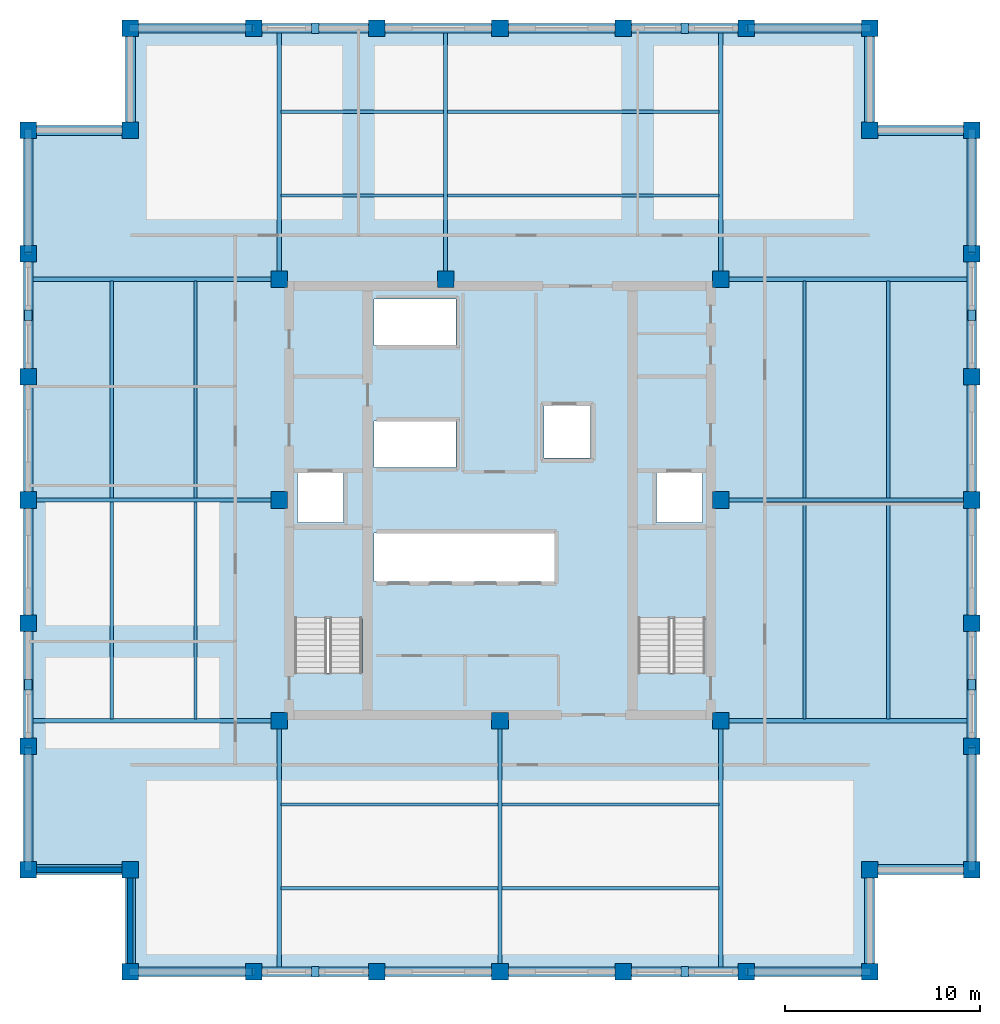
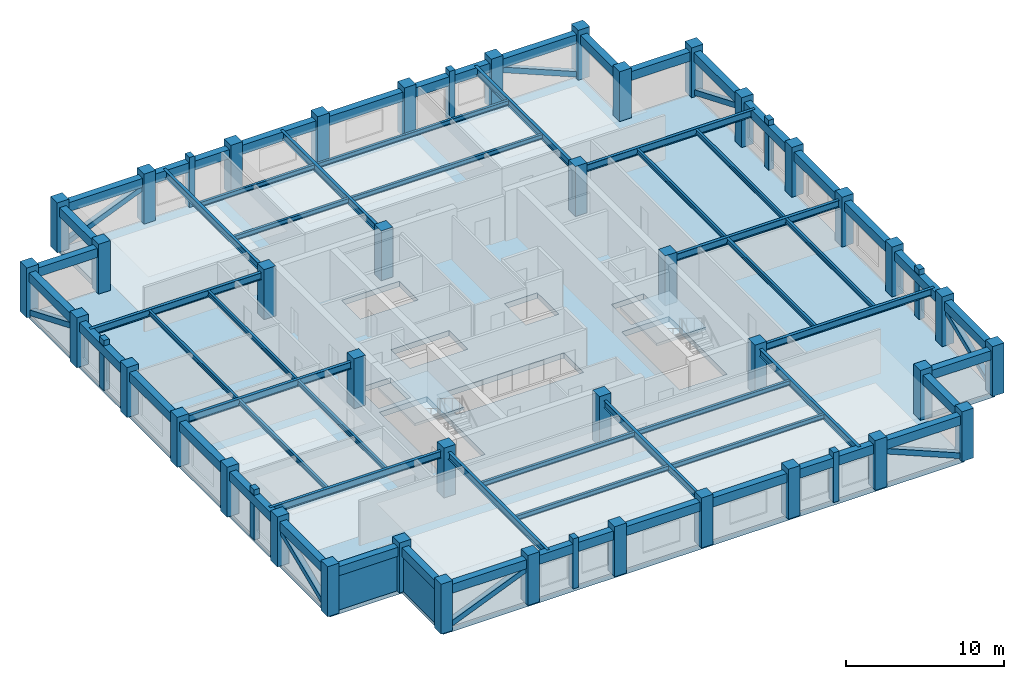
# One storey, part 1 of 9: 60 beams, 40 columns, 16 members, 3 slabs, 2 walls, 2 elements without a shape of their own.
"""IFC4 building model written with IfcOpenShell, lengths in metres."""

from ifc_helpers import new_model, si_unit, direction, frame, frame_2d, origin, origin_2d, place, context, subcontext, project, spatial, polyline, rectangle, hollow_rectangle, i_section, outline, extrude, material, layer, layer_set, material_profile, profile_set, type_object, element, aggregate, save


model = new_model("IFC4")

# Units and contexts
model_context = context("Model", 3, precision=1e-05, world=origin(), true_north=direction((0.0, 1.0)))
body_context = subcontext(model_context, "Body", "Model", "MODEL_VIEW")
ifc_project = project(units=[si_unit("LENGTHUNIT", "METRE"), si_unit("AREAUNIT", "SQUARE_METRE"), si_unit("VOLUMEUNIT", "CUBIC_METRE"), si_unit("PLANEANGLEUNIT", "RADIAN"), si_unit("MASSUNIT", "GRAM", prefix="KILO")], contexts=[model_context])

# Site, building, storey
site_placement = place(None, origin())
site = spatial("IfcSite", under=ifc_project, at=site_placement, CompositionType="ELEMENT")
building_placement = place(site_placement, origin())
building = spatial("IfcBuilding", under=site, at=building_placement, Name="Nhamokura Convention Tower", CompositionType="ELEMENT")
storey_placement = place(building_placement, frame((0.0, 0.0, 186.89990234375)))
storey = spatial("IfcBuildingStorey", under=building, at=storey_placement, Name="L45", CompositionType="ELEMENT", Elevation=186.89990234375)

# Columns
ifc_material_1 = material(Name="Concrete C50/60", Category="concrete")
ifc_material_profile_1 = material_profile(ifc_material_1, rectangle(XDim=0.85009765625, YDim=0.85009765625, at=origin_2d()))
ifc_profile_set_1 = profile_set([ifc_material_profile_1], Name="Concrete C50/60")
column_type = type_object("IfcColumnType", Name="TubeColumn_Z3_850", PredefinedType="COLUMN", material=ifc_profile_set_1)
for number, where, z_axis, x_axis, name in (
    (1, (20.64990234375, 20.64990234375, 0.0), (0.0, 0.0, 1.0), (1.0, 0.0, 0.0), "L45 Core Column CC-SW"),
    (2, (32.0, 20.64990234375, 0.0), (0.0, 0.0, 1.0), (1.0, 0.0, 0.0), "L45 Core Column CC-S"),
    (3, (43.35009765625, 20.64990234375, 0.0), (0.0, 0.0, 1.0), (1.0, 0.0, 0.0), "L45 Core Column CC-SE"),
    (4, (43.35009765625, 32.0, 0.0), (0.0, 0.0, 1.0), (1.0, 0.0, 0.0), "L45 Core Column CC-E"),
    (5, (43.35009765625, 43.35009765625, 0.0), (0.0, 0.0, 1.0), (1.0, 0.0, 0.0), "L45 Core Column CC-NE"),
    (6, (29.199951171875, 43.35009765625, 0.0), (0.0, 0.0, 1.0), (1.0, 0.0, 0.0), "L45 Core Column CC-N"),
    (7, (20.64990234375, 43.35009765625, 0.0), (0.0, 0.0, 1.0), (1.0, 0.0, 0.0), "L45 Core Column CC-NW"),
    (8, (20.64990234375, 32.0, 0.0), (0.0, 0.0, 1.0), (1.0, 0.0, 0.0), "L45 Core Column CC-W"),
    (9, (13.0, 7.75, 0.0), (0.0, 0.0, 1.0), (1.0, 0.0, 0.0), "L45 Perimeter Tube Column SW1"),
    (10, (13.0, 13.0, 0.0), (0.0, 0.0, 1.0), (1.0, 0.0, 0.0), "L45 Perimeter Tube Column SW0"),
    (11, (7.75, 13.0, 0.0), (0.0, 0.0, 1.0), (1.0, 0.0, 0.0), "L45 Perimeter Tube Column SW2"),
    (12, (51.0, 7.75, 0.0), (0.0, 0.0, 1.0), (1.0, 0.0, 0.0), "L45 Perimeter Tube Column SE1"),
    (13, (51.0, 13.0, 0.0), (0.0, 0.0, 1.0), (1.0, 0.0, 0.0), "L45 Perimeter Tube Column SE0"),
    (14, (56.25, 13.0, 0.0), (0.0, 0.0, 1.0), (1.0, 0.0, 0.0), "L45 Perimeter Tube Column SE2"),
    (15, (56.25, 51.0, 0.0), (0.0, 0.0, 1.0), (1.0, 0.0, 0.0), "L45 Perimeter Tube Column NE1"),
    (16, (51.0, 51.0, 0.0), (0.0, 0.0, 1.0), (1.0, 0.0, 0.0), "L45 Perimeter Tube Column NE0"),
    (17, (51.0, 56.25, 0.0), (0.0, 0.0, 1.0), (1.0, 0.0, 0.0), "L45 Perimeter Tube Column NE2"),
    (18, (13.0, 56.25, 0.0), (0.0, 0.0, 1.0), (1.0, 0.0, 0.0), "L45 Perimeter Tube Column NW1"),
    (19, (13.0, 51.0, 0.0), (0.0, 0.0, 1.0), (1.0, 0.0, 0.0), "L45 Perimeter Tube Column NW0"),
    (20, (7.75, 51.0, 0.0), (0.0, 0.0, 1.0), (1.0, 0.0, 0.0), "L45 Perimeter Tube Column NW2"),
    (21, (19.333251953125, 7.75, 0.0), (0.0, 0.0, 1.0), (1.0, 0.0, 0.0), "L45 Perimeter Tube Column S1"),
    (22, (19.333251953125, 56.25, 0.0), (0.0, 0.0, 1.0), (1.0, 0.0, 0.0), "L45 Perimeter Tube Column N1"),
    (23, (7.75, 19.333251953125, 0.0), (0.0, 0.0, 1.0), (1.0, 0.0, 0.0), "L45 Perimeter Tube Column W1"),
    (24, (56.25, 19.333251953125, 0.0), (0.0, 0.0, 1.0), (1.0, 0.0, 0.0), "L45 Perimeter Tube Column E1"),
    (25, (25.666748046875, 7.75, 0.0), (0.0, 0.0, 1.0), (1.0, 0.0, 0.0), "L45 Perimeter Tube Column S2"),
    (26, (25.666748046875, 56.25, 0.0), (0.0, 0.0, 1.0), (1.0, 0.0, 0.0), "L45 Perimeter Tube Column N2"),
    (27, (7.75, 25.666748046875, 0.0), (0.0, 0.0, 1.0), (1.0, 0.0, 0.0), "L45 Perimeter Tube Column W2"),
    (28, (56.25, 25.666748046875, 0.0), (0.0, 0.0, 1.0), (1.0, 0.0, 0.0), "L45 Perimeter Tube Column E2"),
    (29, (32.0, 7.75, 0.0), (0.0, 0.0, 1.0), (1.0, 0.0, 0.0), "L45 Perimeter Tube Column S3"),
    (30, (32.0, 56.25, 0.0), (0.0, 0.0, 1.0), (1.0, 0.0, 0.0), "L45 Perimeter Tube Column N3"),
    (31, (7.75, 32.0, 0.0), (0.0, 0.0, 1.0), (1.0, 0.0, 0.0), "L45 Perimeter Tube Column W3"),
    (32, (56.25, 32.0, 0.0), (0.0, 0.0, 1.0), (1.0, 0.0, 0.0), "L45 Perimeter Tube Column E3"),
    (33, (38.333251953125, 7.75, 0.0), (0.0, 0.0, 1.0), (1.0, 0.0, 0.0), "L45 Perimeter Tube Column S4"),
    (34, (38.333251953125, 56.25, 0.0), (0.0, 0.0, 1.0), (1.0, 0.0, 0.0), "L45 Perimeter Tube Column N4"),
    (35, (7.75, 38.333251953125, 0.0), (0.0, 0.0, 1.0), (1.0, 0.0, 0.0), "L45 Perimeter Tube Column W4"),
    (36, (56.25, 38.333251953125, 0.0), (0.0, 0.0, 1.0), (1.0, 0.0, 0.0), "L45 Perimeter Tube Column E4"),
    (37, (44.666748046875, 7.75, 0.0), (0.0, 0.0, 1.0), (1.0, 0.0, 0.0), "L45 Perimeter Tube Column S5"),
    (38, (44.666748046875, 56.25, 0.0), (0.0, 0.0, 1.0), (1.0, 0.0, 0.0), "L45 Perimeter Tube Column N5"),
    (39, (7.75, 44.666748046875, 0.0), (0.0, 0.0, 1.0), (1.0, 0.0, 0.0), "L45 Perimeter Tube Column W5"),
    (40, (56.25, 44.666748046875, 0.0), (0.0, 0.0, 1.0), (1.0, 0.0, 0.0), "L45 Perimeter Tube Column E5"),
):
    element("IfcColumn", number, at=place(storey_placement, frame(where, z_axis=z_axis, x_axis=x_axis)), inside=storey, type_object=column_type, Name=name, PredefinedType="COLUMN", context=body_context, shape_type="SweptSolid", body=[
        extrude(rectangle(XDim=0.85009765625, YDim=0.85009765625, at=origin_2d()), origin(), (0.0, 0.0, 1.0), 3.85009765625),
    ])

# Members
ifc_material_2 = material(Name="Bronze-pigmented precast concrete C45/55", Category="concrete")
ifc_material_profile_2 = material_profile(ifc_material_2, rectangle(XDim=0.39990234375, YDim=0.550048828125, at=origin_2d()))
ifc_profile_set_2 = profile_set([ifc_material_profile_2], Name="Bronze-pigmented precast concrete C45/55")
member_type_1 = type_object("IfcMemberType", Name="BronzePilaster_550", PredefinedType="USERDEFINED", material=ifc_profile_set_2)
for number, where, z_axis, x_axis, name in (
    (41, (22.5, 7.75, 0.0), (0.0, 0.0, 1.0), (1.0, 0.0, 0.0), "L45 Engaged Frame Pilaster SOUTH 1"),
    (42, (41.5, 7.75, 0.0), (0.0, 0.0, 1.0), (1.0, 0.0, 0.0), "L45 Engaged Frame Pilaster SOUTH 4"),
    (43, (22.5, 56.25, 0.0), (0.0, 0.0, 1.0), (1.0, 0.0, 0.0), "L45 Engaged Frame Pilaster NORTH 1"),
    (44, (41.5, 56.25, 0.0), (0.0, 0.0, 1.0), (1.0, 0.0, 0.0), "L45 Engaged Frame Pilaster NORTH 4"),
    (45, (7.75, 22.5, 0.0), (0.0, 0.0, 1.0), (1.0, 0.0, 0.0), "L45 Engaged Frame Pilaster WEST 1"),
    (46, (7.75, 41.5, 0.0), (0.0, 0.0, 1.0), (1.0, 0.0, 0.0), "L45 Engaged Frame Pilaster WEST 4"),
    (47, (56.25, 22.5, 0.0), (0.0, 0.0, 1.0), (1.0, 0.0, 0.0), "L45 Engaged Frame Pilaster EAST 1"),
    (48, (56.25, 41.5, 0.0), (0.0, 0.0, 1.0), (1.0, 0.0, 0.0), "L45 Engaged Frame Pilaster EAST 4"),
):
    element("IfcMember", number, at=place(storey_placement, frame(where, z_axis=z_axis, x_axis=x_axis)), inside=storey, type_object=member_type_1, Name=name, ObjectType="PILASTER_TRIM", PredefinedType="USERDEFINED", context=body_context, shape_type="SweptSolid", body=[
        extrude(rectangle(XDim=0.39990234375, YDim=0.550048828125, at=origin_2d()), origin(), (0.0, 0.0, 1.0), 3.85009765625),
    ])

# Beams
ifc_material_3 = material(Name="Steel ASTM A992 Gr 50", Category="steel")
ifc_material_profile_3 = material_profile(ifc_material_3, i_section(OverallWidth=0.172119140625, OverallDepth=0.35791015625, WebThickness=0.0078125, FlangeThickness=0.01318359375, at=origin_2d()))
ifc_profile_set_3 = profile_set([ifc_material_profile_3], Name="Steel ASTM A992 Gr 50")
beam_type_1 = type_object("IfcBeamType", Name="FloorJoist_W360X57", PredefinedType="JOIST", material=ifc_profile_set_3)
for number, where, z_axis, x_axis, name in (
    (49, (20.75341796875, 12.050048828125, 3.2509765625), (1.0, 0.0, 0.0), (0.0, 1.0, 0.0), "L45 Composite Floor Joist S1A"),
    (50, (32.103515625, 12.050048828125, 3.2509765625), (1.0, 0.0, 0.0), (0.0, 1.0, 0.0), "L45 Composite Floor Joist S1B"),
    (51, (20.75341796875, 16.35009765625, 3.2509765625), (1.0, 0.0, 0.0), (0.0, 1.0, 0.0), "L45 Composite Floor Joist S2A"),
    (52, (32.103515625, 16.35009765625, 3.2509765625), (1.0, 0.0, 0.0), (0.0, 1.0, 0.0), "L45 Composite Floor Joist S2B"),
):
    element("IfcBeam", number, at=place(storey_placement, frame(where, z_axis=z_axis, x_axis=x_axis)), inside=storey, type_object=beam_type_1, Name=name, PredefinedType="JOIST", context=body_context, shape_type="SweptSolid", body=[
        extrude(i_section(OverallWidth=0.172119140625, OverallDepth=0.35791015625, WebThickness=0.0078125, FlangeThickness=0.01318359375, at=origin_2d()), origin(), (0.0, 0.0, 1.0), 11.14306640625),
    ])
beam_1_placement = place(storey_placement, frame((20.75341796875, 47.64990234375, 3.2509765625), z_axis=(1.0, 0.0, 0.0), x_axis=(0.0, 1.0, 0.0)))
element("IfcBeam", 53, at=beam_1_placement, inside=storey, type_object=beam_type_1, Name="L45 Composite Floor Joist N1A", PredefinedType="JOIST", context=body_context, shape_type="SweptSolid", body=[
    extrude(i_section(OverallWidth=0.172119140625, OverallDepth=0.35791015625, WebThickness=0.0078125, FlangeThickness=0.01318359375, at=origin_2d()), origin(), (0.0, 0.0, 1.0), 8.343017578125),
])
beam_2_placement = place(storey_placement, frame((29.303466796875, 47.64990234375, 3.2509765625), z_axis=(1.0, 0.0, 0.0), x_axis=(0.0, 1.0, 0.0)))
element("IfcBeam", 54, at=beam_2_placement, inside=storey, type_object=beam_type_1, Name="L45 Composite Floor Joist N1B", PredefinedType="JOIST", context=body_context, shape_type="SweptSolid", body=[
    extrude(i_section(OverallWidth=0.172119140625, OverallDepth=0.35791015625, WebThickness=0.0078125, FlangeThickness=0.01318359375, at=origin_2d()), origin(), (0.0, 0.0, 1.0), 13.943115234375),
])
beam_3_placement = place(storey_placement, frame((20.75341796875, 51.949951171875, 3.2509765625), z_axis=(1.0, 0.0, 0.0), x_axis=(0.0, 1.0, 0.0)))
element("IfcBeam", 55, at=beam_3_placement, inside=storey, type_object=beam_type_1, Name="L45 Composite Floor Joist N2A", PredefinedType="JOIST", context=body_context, shape_type="SweptSolid", body=[
    extrude(i_section(OverallWidth=0.172119140625, OverallDepth=0.35791015625, WebThickness=0.0078125, FlangeThickness=0.01318359375, at=origin_2d()), origin(), (0.0, 0.0, 1.0), 8.343017578125),
])
beam_4_placement = place(storey_placement, frame((29.303466796875, 51.949951171875, 3.2509765625), z_axis=(1.0, 0.0, 0.0), x_axis=(0.0, 1.0, 0.0)))
element("IfcBeam", 56, at=beam_4_placement, inside=storey, type_object=beam_type_1, Name="L45 Composite Floor Joist N2B", PredefinedType="JOIST", context=body_context, shape_type="SweptSolid", body=[
    extrude(i_section(OverallWidth=0.172119140625, OverallDepth=0.35791015625, WebThickness=0.0078125, FlangeThickness=0.01318359375, at=origin_2d()), origin(), (0.0, 0.0, 1.0), 13.943115234375),
])
for number, where, z_axis, x_axis, name in (
    (57, (12.050048828125, 20.75341796875, 3.2509765625), (0.0, 1.0, 0.0), (-1.0, 0.0, 0.0), "L45 Composite Floor Joist W1A"),
    (58, (12.050048828125, 32.103515625, 3.2509765625), (0.0, 1.0, 0.0), (-1.0, 0.0, 0.0), "L45 Composite Floor Joist W1B"),
    (59, (16.35009765625, 20.75341796875, 3.2509765625), (0.0, 1.0, 0.0), (-1.0, 0.0, 0.0), "L45 Composite Floor Joist W2A"),
    (60, (16.35009765625, 32.103515625, 3.2509765625), (0.0, 1.0, 0.0), (-1.0, 0.0, 0.0), "L45 Composite Floor Joist W2B"),
    (61, (47.64990234375, 20.75341796875, 3.2509765625), (0.0, 1.0, 0.0), (-1.0, 0.0, 0.0), "L45 Composite Floor Joist E1A"),
    (62, (47.64990234375, 32.103515625, 3.2509765625), (0.0, 1.0, 0.0), (-1.0, 0.0, 0.0), "L45 Composite Floor Joist E1B"),
    (63, (51.949951171875, 20.75341796875, 3.2509765625), (0.0, 1.0, 0.0), (-1.0, 0.0, 0.0), "L45 Composite Floor Joist E2A"),
    (64, (51.949951171875, 32.103515625, 3.2509765625), (0.0, 1.0, 0.0), (-1.0, 0.0, 0.0), "L45 Composite Floor Joist E2B"),
):
    element("IfcBeam", number, at=place(storey_placement, frame(where, z_axis=z_axis, x_axis=x_axis)), inside=storey, type_object=beam_type_1, Name=name, PredefinedType="JOIST", context=body_context, shape_type="SweptSolid", body=[
        extrude(i_section(OverallWidth=0.172119140625, OverallDepth=0.35791015625, WebThickness=0.0078125, FlangeThickness=0.01318359375, at=origin_2d()), origin(), (0.0, 0.0, 1.0), 11.14306640625),
    ])
ifc_material_4 = material(Name="Steel ASTM A992 Gr 50", Category="steel")
ifc_material_profile_4 = material_profile(ifc_material_4, i_section(OverallWidth=0.2109375, OverallDepth=0.5390625, WebThickness=0.01171875, FlangeThickness=0.018798828125, at=origin_2d()))
ifc_profile_set_4 = profile_set([ifc_material_profile_4], Name="Steel ASTM A992 Gr 50")
beam_type_2 = type_object("IfcBeamType", Name="PrimaryGirder_W530X109", PredefinedType="BEAM", material=ifc_profile_set_4)
for number, where, z_axis, x_axis, name in (
    (65, (20.64990234375, 7.75, 3.16064453125), (0.0, 1.0, 0.0), (-1.0, 0.0, 0.0), "L45 Primary Floor Girder PG-S1"),
    (66, (32.0, 7.75, 3.16064453125), (0.0, 1.0, 0.0), (-1.0, 0.0, 0.0), "L45 Primary Floor Girder PG-S2"),
    (67, (43.35009765625, 7.75, 3.16064453125), (0.0, 1.0, 0.0), (-1.0, 0.0, 0.0), "L45 Primary Floor Girder PG-S3"),
    (68, (20.64990234375, 43.35009765625, 3.16064453125), (0.0, 1.0, 0.0), (-1.0, 0.0, 0.0), "L45 Primary Floor Girder PG-N1"),
    (69, (29.199951171875, 43.35009765625, 3.16064453125), (0.0, 1.0, 0.0), (-1.0, 0.0, 0.0), "L45 Primary Floor Girder PG-N2"),
    (70, (43.35009765625, 43.35009765625, 3.16064453125), (0.0, 1.0, 0.0), (-1.0, 0.0, 0.0), "L45 Primary Floor Girder PG-N3"),
    (71, (7.75, 20.64990234375, 3.16064453125), (1.0, 0.0, 0.0), (0.0, 1.0, 0.0), "L45 Primary Floor Girder PG-W1"),
    (72, (7.75, 32.0, 3.16064453125), (1.0, 0.0, 0.0), (0.0, 1.0, 0.0), "L45 Primary Floor Girder PG-W2"),
    (73, (7.75, 43.35009765625, 3.16064453125), (1.0, 0.0, 0.0), (0.0, 1.0, 0.0), "L45 Primary Floor Girder PG-W3"),
    (74, (43.35009765625, 20.64990234375, 3.16064453125), (1.0, 0.0, 0.0), (0.0, 1.0, 0.0), "L45 Primary Floor Girder PG-E1"),
    (75, (43.35009765625, 32.0, 3.16064453125), (1.0, 0.0, 0.0), (0.0, 1.0, 0.0), "L45 Primary Floor Girder PG-E2"),
    (76, (43.35009765625, 43.35009765625, 3.16064453125), (1.0, 0.0, 0.0), (0.0, 1.0, 0.0), "L45 Primary Floor Girder PG-E3"),
):
    element("IfcBeam", number, at=place(storey_placement, frame(where, z_axis=z_axis, x_axis=x_axis)), inside=storey, type_object=beam_type_2, Name=name, PredefinedType="BEAM", context=body_context, shape_type="SweptSolid", body=[
        extrude(i_section(OverallWidth=0.2109375, OverallDepth=0.5390625, WebThickness=0.01171875, FlangeThickness=0.018798828125, at=origin_2d()), origin(), (0.0, 0.0, 1.0), 12.89990234375),
    ])

# Members
ifc_material_5 = material(Name="Steel ASTM A572 Gr 50", Category="steel")
ifc_material_profile_5 = material_profile(ifc_material_5, hollow_rectangle(XDim=0.39990234375, YDim=0.39990234375, WallThickness=0.02001953125, at=origin_2d()))
ifc_profile_set_5 = profile_set([ifc_material_profile_5], Name="Steel ASTM A572 Gr 50")
member_type_2 = type_object("IfcMemberType", Name="TubeBrace_HSS400", PredefinedType="BRACE", material=ifc_profile_set_5)
for number, where, z_axis, x_axis, name in (
    (77, (13.0, 7.75, 0.150146484375), (0.923540755794, 0.0, 0.383500289943), (0.0, 1.0, 0.0), "L45 Perimeter Tube Brace SOUTH Bay 0"),
    (78, (51.0, 7.75, 0.150146484375), (-0.923540755794, 0.0, 0.383500289943), (0.0, -1.0, 0.0), "L45 Perimeter Tube Brace SOUTH Bay 5"),
    (79, (13.0, 56.25, 0.150146484375), (0.923540755794, 0.0, 0.383500289943), (0.0, 1.0, 0.0), "L45 Perimeter Tube Brace NORTH Bay 0"),
    (80, (51.0, 56.25, 0.150146484375), (-0.923540755794, 0.0, 0.383500289943), (0.0, -1.0, 0.0), "L45 Perimeter Tube Brace NORTH Bay 5"),
    (81, (7.75, 13.0, 0.150146484375), (0.0, 0.923540755794, 0.383500289943), (-1.0, 0.0, 0.0), "L45 Perimeter Tube Brace WEST Bay 0"),
    (82, (7.75, 51.0, 0.150146484375), (0.0, -0.923540755794, 0.383500289943), (1.0, 0.0, 0.0), "L45 Perimeter Tube Brace WEST Bay 5"),
    (83, (56.25, 13.0, 0.150146484375), (0.0, 0.923540755794, 0.383500289943), (-1.0, 0.0, 0.0), "L45 Perimeter Tube Brace EAST Bay 0"),
    (84, (56.25, 51.0, 0.150146484375), (0.0, -0.923540755794, 0.383500289943), (1.0, 0.0, 0.0), "L45 Perimeter Tube Brace EAST Bay 5"),
):
    element("IfcMember", number, at=place(storey_placement, frame(where, z_axis=z_axis, x_axis=x_axis)), inside=storey, type_object=member_type_2, Name=name, PredefinedType="BRACE", context=body_context, shape_type="SweptSolid", body=[
        extrude(hollow_rectangle(XDim=0.39990234375, YDim=0.39990234375, WallThickness=0.02001953125, at=origin_2d()), origin(), (0.0, 0.0, 1.0), 6.857666015625),
    ])

# Beams
ifc_material_6 = material(Name="Concrete C50/60", Category="concrete")
ifc_material_profile_6 = material_profile(ifc_material_6, rectangle(XDim=0.5, YDim=0.699951171875, at=origin_2d()))
ifc_profile_set_6 = profile_set([ifc_material_profile_6], Name="Concrete C50/60")
beam_type_3 = type_object("IfcBeamType", Name="TubeSpandrel_700", PredefinedType="SPANDREL", material=ifc_profile_set_6)
beam_5_placement = place(storey_placement, frame((13.0, 7.75, 3.080078125), z_axis=(1.0, 0.0, 0.0), x_axis=(0.0, 1.0, 0.0)))
element("IfcBeam", 85, at=beam_5_placement, inside=storey, type_object=beam_type_3, Name="L45 Perimeter Spandrel SOUTH 1", PredefinedType="SPANDREL", context=body_context, shape_type="SweptSolid", body=[
    extrude(rectangle(XDim=0.5, YDim=0.699951171875, at=origin_2d()), origin(), (0.0, 0.0, 1.0), 6.333251953125),
])
beam_6_placement = place(storey_placement, frame((19.333251953125, 7.75, 3.080078125), z_axis=(1.0, 0.0, 0.0), x_axis=(0.0, 1.0, 0.0)))
element("IfcBeam", 86, at=beam_6_placement, inside=storey, type_object=beam_type_3, Name="L45 Perimeter Spandrel SOUTH 2", PredefinedType="SPANDREL", context=body_context, shape_type="SweptSolid", body=[
    extrude(rectangle(XDim=0.5, YDim=0.699951171875, at=origin_2d()), origin(), (0.0, 0.0, 1.0), 6.33349609375),
])
for number, where, z_axis, x_axis, name in (
    (87, (25.666748046875, 7.75, 3.080078125), (1.0, 0.0, 0.0), (0.0, 1.0, 0.0), "L45 Perimeter Spandrel SOUTH 3"),
    (88, (32.0, 7.75, 3.080078125), (1.0, 0.0, 0.0), (0.0, 1.0, 0.0), "L45 Perimeter Spandrel SOUTH 4"),
):
    element("IfcBeam", number, at=place(storey_placement, frame(where, z_axis=z_axis, x_axis=x_axis)), inside=storey, type_object=beam_type_3, Name=name, PredefinedType="SPANDREL", context=body_context, shape_type="SweptSolid", body=[
        extrude(rectangle(XDim=0.5, YDim=0.699951171875, at=origin_2d()), origin(), (0.0, 0.0, 1.0), 6.333251953125),
    ])
beam_7_placement = place(storey_placement, frame((38.333251953125, 7.75, 3.080078125), z_axis=(1.0, 0.0, 0.0), x_axis=(0.0, 1.0, 0.0)))
element("IfcBeam", 89, at=beam_7_placement, inside=storey, type_object=beam_type_3, Name="L45 Perimeter Spandrel SOUTH 5", PredefinedType="SPANDREL", context=body_context, shape_type="SweptSolid", body=[
    extrude(rectangle(XDim=0.5, YDim=0.699951171875, at=origin_2d()), origin(), (0.0, 0.0, 1.0), 6.33349609375),
])
for number, where, z_axis, x_axis, name in (
    (90, (44.666748046875, 7.75, 3.080078125), (1.0, 0.0, 0.0), (0.0, 1.0, 0.0), "L45 Perimeter Spandrel SOUTH 6"),
    (91, (13.0, 56.25, 3.080078125), (1.0, 0.0, 0.0), (0.0, 1.0, 0.0), "L45 Perimeter Spandrel NORTH 1"),
):
    element("IfcBeam", number, at=place(storey_placement, frame(where, z_axis=z_axis, x_axis=x_axis)), inside=storey, type_object=beam_type_3, Name=name, PredefinedType="SPANDREL", context=body_context, shape_type="SweptSolid", body=[
        extrude(rectangle(XDim=0.5, YDim=0.699951171875, at=origin_2d()), origin(), (0.0, 0.0, 1.0), 6.333251953125),
    ])
beam_8_placement = place(storey_placement, frame((19.333251953125, 56.25, 3.080078125), z_axis=(1.0, 0.0, 0.0), x_axis=(0.0, 1.0, 0.0)))
element("IfcBeam", 92, at=beam_8_placement, inside=storey, type_object=beam_type_3, Name="L45 Perimeter Spandrel NORTH 2", PredefinedType="SPANDREL", context=body_context, shape_type="SweptSolid", body=[
    extrude(rectangle(XDim=0.5, YDim=0.699951171875, at=origin_2d()), origin(), (0.0, 0.0, 1.0), 6.33349609375),
])
for number, where, z_axis, x_axis, name in (
    (93, (25.666748046875, 56.25, 3.080078125), (1.0, 0.0, 0.0), (0.0, 1.0, 0.0), "L45 Perimeter Spandrel NORTH 3"),
    (94, (32.0, 56.25, 3.080078125), (1.0, 0.0, 0.0), (0.0, 1.0, 0.0), "L45 Perimeter Spandrel NORTH 4"),
):
    element("IfcBeam", number, at=place(storey_placement, frame(where, z_axis=z_axis, x_axis=x_axis)), inside=storey, type_object=beam_type_3, Name=name, PredefinedType="SPANDREL", context=body_context, shape_type="SweptSolid", body=[
        extrude(rectangle(XDim=0.5, YDim=0.699951171875, at=origin_2d()), origin(), (0.0, 0.0, 1.0), 6.333251953125),
    ])
beam_9_placement = place(storey_placement, frame((38.333251953125, 56.25, 3.080078125), z_axis=(1.0, 0.0, 0.0), x_axis=(0.0, 1.0, 0.0)))
element("IfcBeam", 95, at=beam_9_placement, inside=storey, type_object=beam_type_3, Name="L45 Perimeter Spandrel NORTH 5", PredefinedType="SPANDREL", context=body_context, shape_type="SweptSolid", body=[
    extrude(rectangle(XDim=0.5, YDim=0.699951171875, at=origin_2d()), origin(), (0.0, 0.0, 1.0), 6.33349609375),
])
for number, where, z_axis, x_axis, name in (
    (96, (44.666748046875, 56.25, 3.080078125), (1.0, 0.0, 0.0), (0.0, 1.0, 0.0), "L45 Perimeter Spandrel NORTH 6"),
    (97, (7.75, 13.0, 3.080078125), (0.0, 1.0, 0.0), (-1.0, 0.0, 0.0), "L45 Perimeter Spandrel WEST 1"),
):
    element("IfcBeam", number, at=place(storey_placement, frame(where, z_axis=z_axis, x_axis=x_axis)), inside=storey, type_object=beam_type_3, Name=name, PredefinedType="SPANDREL", context=body_context, shape_type="SweptSolid", body=[
        extrude(rectangle(XDim=0.5, YDim=0.699951171875, at=origin_2d()), origin(), (0.0, 0.0, 1.0), 6.333251953125),
    ])
beam_10_placement = place(storey_placement, frame((7.75, 19.333251953125, 3.080078125), z_axis=(0.0, 1.0, 0.0), x_axis=(-1.0, 0.0, 0.0)))
element("IfcBeam", 98, at=beam_10_placement, inside=storey, type_object=beam_type_3, Name="L45 Perimeter Spandrel WEST 2", PredefinedType="SPANDREL", context=body_context, shape_type="SweptSolid", body=[
    extrude(rectangle(XDim=0.5, YDim=0.699951171875, at=origin_2d()), origin(), (0.0, 0.0, 1.0), 6.33349609375),
])
for number, where, z_axis, x_axis, name in (
    (99, (7.75, 25.666748046875, 3.080078125), (0.0, 1.0, 0.0), (-1.0, 0.0, 0.0), "L45 Perimeter Spandrel WEST 3"),
    (100, (7.75, 32.0, 3.080078125), (0.0, 1.0, 0.0), (-1.0, 0.0, 0.0), "L45 Perimeter Spandrel WEST 4"),
):
    element("IfcBeam", number, at=place(storey_placement, frame(where, z_axis=z_axis, x_axis=x_axis)), inside=storey, type_object=beam_type_3, Name=name, PredefinedType="SPANDREL", context=body_context, shape_type="SweptSolid", body=[
        extrude(rectangle(XDim=0.5, YDim=0.699951171875, at=origin_2d()), origin(), (0.0, 0.0, 1.0), 6.333251953125),
    ])
beam_11_placement = place(storey_placement, frame((7.75, 38.333251953125, 3.080078125), z_axis=(0.0, 1.0, 0.0), x_axis=(-1.0, 0.0, 0.0)))
element("IfcBeam", 101, at=beam_11_placement, inside=storey, type_object=beam_type_3, Name="L45 Perimeter Spandrel WEST 5", PredefinedType="SPANDREL", context=body_context, shape_type="SweptSolid", body=[
    extrude(rectangle(XDim=0.5, YDim=0.699951171875, at=origin_2d()), origin(), (0.0, 0.0, 1.0), 6.33349609375),
])
for number, where, z_axis, x_axis, name in (
    (102, (7.75, 44.666748046875, 3.080078125), (0.0, 1.0, 0.0), (-1.0, 0.0, 0.0), "L45 Perimeter Spandrel WEST 6"),
    (103, (56.25, 13.0, 3.080078125), (0.0, 1.0, 0.0), (-1.0, 0.0, 0.0), "L45 Perimeter Spandrel EAST 1"),
):
    element("IfcBeam", number, at=place(storey_placement, frame(where, z_axis=z_axis, x_axis=x_axis)), inside=storey, type_object=beam_type_3, Name=name, PredefinedType="SPANDREL", context=body_context, shape_type="SweptSolid", body=[
        extrude(rectangle(XDim=0.5, YDim=0.699951171875, at=origin_2d()), origin(), (0.0, 0.0, 1.0), 6.333251953125),
    ])
beam_12_placement = place(storey_placement, frame((56.25, 19.333251953125, 3.080078125), z_axis=(0.0, 1.0, 0.0), x_axis=(-1.0, 0.0, 0.0)))
element("IfcBeam", 104, at=beam_12_placement, inside=storey, type_object=beam_type_3, Name="L45 Perimeter Spandrel EAST 2", PredefinedType="SPANDREL", context=body_context, shape_type="SweptSolid", body=[
    extrude(rectangle(XDim=0.5, YDim=0.699951171875, at=origin_2d()), origin(), (0.0, 0.0, 1.0), 6.33349609375),
])
for number, where, z_axis, x_axis, name in (
    (105, (56.25, 25.666748046875, 3.080078125), (0.0, 1.0, 0.0), (-1.0, 0.0, 0.0), "L45 Perimeter Spandrel EAST 3"),
    (106, (56.25, 32.0, 3.080078125), (0.0, 1.0, 0.0), (-1.0, 0.0, 0.0), "L45 Perimeter Spandrel EAST 4"),
):
    element("IfcBeam", number, at=place(storey_placement, frame(where, z_axis=z_axis, x_axis=x_axis)), inside=storey, type_object=beam_type_3, Name=name, PredefinedType="SPANDREL", context=body_context, shape_type="SweptSolid", body=[
        extrude(rectangle(XDim=0.5, YDim=0.699951171875, at=origin_2d()), origin(), (0.0, 0.0, 1.0), 6.333251953125),
    ])
beam_13_placement = place(storey_placement, frame((56.25, 38.333251953125, 3.080078125), z_axis=(0.0, 1.0, 0.0), x_axis=(-1.0, 0.0, 0.0)))
element("IfcBeam", 107, at=beam_13_placement, inside=storey, type_object=beam_type_3, Name="L45 Perimeter Spandrel EAST 5", PredefinedType="SPANDREL", context=body_context, shape_type="SweptSolid", body=[
    extrude(rectangle(XDim=0.5, YDim=0.699951171875, at=origin_2d()), origin(), (0.0, 0.0, 1.0), 6.33349609375),
])
beam_14_placement = place(storey_placement, frame((56.25, 44.666748046875, 3.080078125), z_axis=(0.0, 1.0, 0.0), x_axis=(-1.0, 0.0, 0.0)))
element("IfcBeam", 108, at=beam_14_placement, inside=storey, type_object=beam_type_3, Name="L45 Perimeter Spandrel EAST 6", PredefinedType="SPANDREL", context=body_context, shape_type="SweptSolid", body=[
    extrude(rectangle(XDim=0.5, YDim=0.699951171875, at=origin_2d()), origin(), (0.0, 0.0, 1.0), 6.333251953125),
])
for number, where, z_axis, x_axis, name in (
    (109, (13.0, 7.75, 3.080078125), (0.0, 1.0, 0.0), (-1.0, 0.0, 0.0), "L45 Notch Spandrel SW1"),
    (110, (13.0, 13.0, 3.080078125), (-1.0, 0.0, 0.0), (0.0, -1.0, 0.0), "L45 Notch Spandrel SW2"),
    (111, (51.0, 7.75, 3.080078125), (0.0, 1.0, 0.0), (-1.0, 0.0, 0.0), "L45 Notch Spandrel SE1"),
    (112, (51.0, 13.0, 3.080078125), (1.0, 0.0, 0.0), (0.0, 1.0, 0.0), "L45 Notch Spandrel SE2"),
    (113, (56.25, 51.0, 3.080078125), (-1.0, 0.0, 0.0), (0.0, -1.0, 0.0), "L45 Notch Spandrel NE1"),
    (114, (51.0, 51.0, 3.080078125), (0.0, 1.0, 0.0), (-1.0, 0.0, 0.0), "L45 Notch Spandrel NE2"),
    (115, (13.0, 56.25, 3.080078125), (0.0, -1.0, 0.0), (1.0, 0.0, 0.0), "L45 Notch Spandrel NW1"),
    (116, (13.0, 51.0, 3.080078125), (-1.0, 0.0, 0.0), (0.0, -1.0, 0.0), "L45 Notch Spandrel NW2"),
):
    element("IfcBeam", number, at=place(storey_placement, frame(where, z_axis=z_axis, x_axis=x_axis)), inside=storey, type_object=beam_type_3, Name=name, PredefinedType="SPANDREL", context=body_context, shape_type="SweptSolid", body=[
        extrude(rectangle(XDim=0.5, YDim=0.699951171875, at=origin_2d()), origin(), (0.0, 0.0, 1.0), 5.25),
    ])

# Stair, slab
ifc_material_7 = material(Name="Concrete C40/50", Category="concrete")
stair_type = type_object("IfcStairType", Name="TowerCoreStair_1650", PredefinedType="HALF_TURN_STAIR", material=ifc_material_7)
stair_1_placement = place(storey_placement, origin())
stair_1 = element("IfcStair", 117, at=stair_1_placement, inside=storey, type_object=stair_type, Name="L45 West Core Smokeproof Stair ST-01", PredefinedType="HALF_TURN_STAIR")
ifc_material_8 = material(Name="Concrete C40/50", Category="concrete")
ifc_layer_1 = layer(ifc_material_8, 0.199951171875)
ifc_layer_set_1 = layer_set([ifc_layer_1], Name="StairLandingSlab_200")
slab_type_1 = type_object("IfcSlabType", Name="StairLandingSlab_200", PredefinedType="LANDING", material=ifc_layer_set_1)
slab_1_placement = place(storey_placement, frame((0.0, 0.0, 1.72509765625)))
slab_1 = element("IfcSlab", 118, at=slab_1_placement, type_object=slab_type_1, Name="ST-01 landing 1", PredefinedType="LANDING", context=body_context, shape_type="SweptSolid", body=[
    extrude(outline(polyline([(24.97998046875, 25.8701171875), (24.97998046875, 30.530029296875), (21.3701171875, 30.530029296875), (21.3701171875, 25.8701171875), (24.97998046875, 25.8701171875)])), origin(), (0.0, 0.0, 1.0), 0.199951171875),
])
aggregate(stair_1, [slab_1])

stair_2_placement = place(storey_placement, origin())
stair_2 = element("IfcStair", 119, at=stair_2_placement, inside=storey, type_object=stair_type, Name="L45 East Core Smokeproof Stair ST-02", PredefinedType="HALF_TURN_STAIR")
slab_2_placement = place(storey_placement, frame((0.0, 0.0, 1.72509765625)))
slab_2 = element("IfcSlab", 120, at=slab_2_placement, type_object=slab_type_1, Name="ST-02 landing 1", PredefinedType="LANDING", context=body_context, shape_type="SweptSolid", body=[
    extrude(outline(polyline([(42.6298828125, 25.8701171875), (42.6298828125, 30.530029296875), (39.02001953125, 30.530029296875), (39.02001953125, 25.8701171875), (42.6298828125, 25.8701171875)])), origin(), (0.0, 0.0, 1.0), 0.199951171875),
])
aggregate(stair_2, [slab_2])

# Slab
ifc_material_9 = material(Name="Concrete C50/60", Category="concrete")
ifc_layer_2 = layer(ifc_material_9, 0.419921875)
ifc_layer_set_2 = layer_set([ifc_layer_2], Name="TransferDeckSlab_380")
slab_type_2 = type_object("IfcSlabType", Name="TransferDeckSlab_380", PredefinedType="FLOOR", material=ifc_layer_set_2)
slab_3_placement = place(storey_placement, frame((0.0, 0.0, -0.419921875)))
element("IfcSlab", 121, at=slab_3_placement, inside=storey, type_object=slab_type_2, Name="L45 Structural Floor Slab", PredefinedType="FLOOR", context=body_context, shape_type="SweptSolid", body=[
    extrude(outline(polyline([(13.0, 7.75), (51.0, 7.75), (51.0, 13.0), (56.25, 13.0), (56.25, 51.0), (51.0, 51.0), (51.0, 56.25), (13.0, 56.25), (13.0, 51.0), (7.75, 51.0), (7.75, 13.0), (13.0, 13.0), (13.0, 7.75)]), holes=[polyline([(24.89990234375, 23.10009765625), (24.89990234375, 30.449951171875), (21.449951171875, 30.449951171875), (21.449951171875, 23.10009765625), (24.89990234375, 23.10009765625)]), polyline([(42.550048828125, 23.10009765625), (42.550048828125, 30.449951171875), (39.10009765625, 30.449951171875), (39.10009765625, 23.10009765625), (42.550048828125, 23.10009765625)]), polyline([(21.60009765625, 30.85009765625), (23.949951171875, 30.85009765625), (23.949951171875, 33.39990234375), (21.60009765625, 33.39990234375), (21.60009765625, 30.85009765625)]), polyline([(40.050048828125, 30.85009765625), (42.39990234375, 30.85009765625), (42.39990234375, 33.39990234375), (40.050048828125, 33.39990234375), (40.050048828125, 30.85009765625)]), polyline([(34.25, 34.14990234375), (36.64990234375, 34.14990234375), (36.64990234375, 36.85009765625), (34.25, 36.85009765625), (34.25, 34.14990234375)]), polyline([(25.52001953125, 27.800048828125), (34.800048828125, 27.800048828125), (34.800048828125, 30.300048828125), (25.52001953125, 30.300048828125), (25.52001953125, 27.800048828125)]), polyline([(25.52001953125, 33.679931640625), (29.75, 33.679931640625), (29.75, 36.050048828125), (25.52001953125, 36.050048828125), (25.52001953125, 33.679931640625)]), polyline([(25.52001953125, 39.949951171875), (29.75, 39.949951171875), (29.75, 42.320068359375), (25.52001953125, 42.320068359375), (25.52001953125, 39.949951171875)])]), origin(), (0.0, 0.0, 1.0), 0.419921875),
])

# Walls
ifc_material_10 = material(Name="Bronze-pigmented precast concrete C45/55", Category="concrete")
ifc_layer_3 = layer(ifc_material_10, 0.280029296875)
ifc_layer_set_3 = layer_set([ifc_layer_3], Name="BronzePrecastSpandrel_280")
wall_type = type_object("IfcWallType", Name="BronzePrecastSpandrel_280", PredefinedType="USERDEFINED", material=ifc_layer_set_3)
for number, where, z_axis, x_axis, name in (
    (122, (13.0, 7.75, 0.0), (0.0, 0.0, 1.0), (0.0, 1.0, 0.0), "L45 Notched Corner Wall SW1"),
    (123, (13.0, 13.0, 0.0), (0.0, 0.0, 1.0), (-1.0, 0.0, 0.0), "L45 Notched Corner Wall SW2"),
):
    element("IfcWall", number, at=place(storey_placement, frame(where, z_axis=z_axis, x_axis=x_axis)), inside=storey, type_object=wall_type, Name=name, ObjectType="SPANDREL_WALL", PredefinedType="USERDEFINED", context=body_context, shape_type="SweptSolid", body=[
        extrude(rectangle(XDim=5.25, YDim=0.280029296875, at=frame_2d((2.625, 0.0))), origin(), (0.0, 0.0, 1.0), 2.72998046875),
    ])

save(model, "model.ifc")
